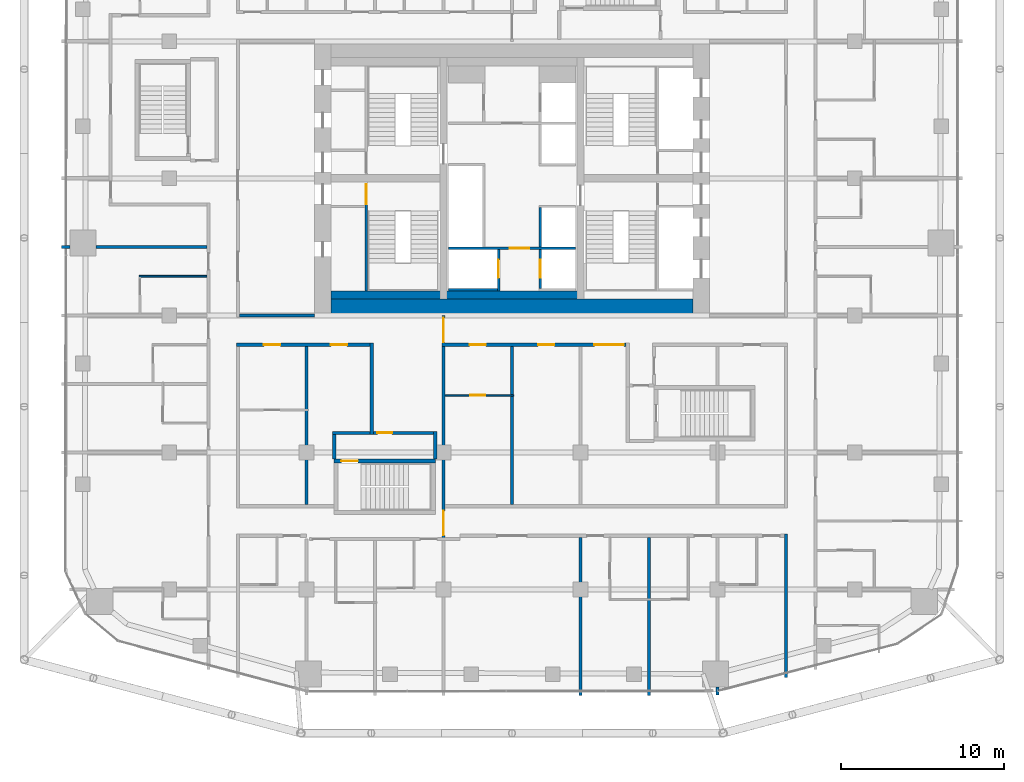
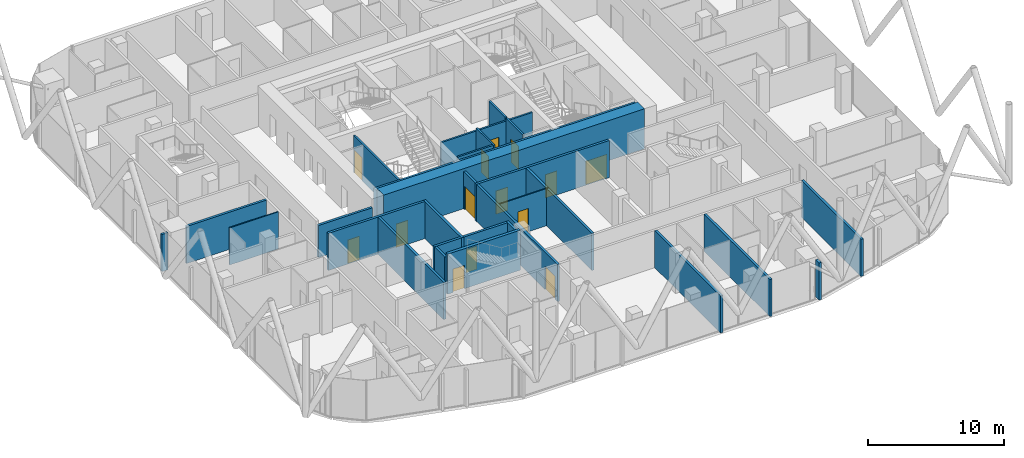
# One storey, part 25 of 33: 28 walls, 14 doors, 14 openings.
"""IFC4 building model written with IfcOpenShell, lengths in metres."""

from ifc_helpers import new_model, si_unit, direction, frame, frame_2d, origin, place, context, subcontext, project, spatial, rectangle, extrude, material, layer, layer_set, type_object, element, fill, save


model = new_model("IFC4")

# Units and contexts
model_context = context("Model", 3, precision=1e-05, world=origin(), true_north=direction((0.0, 1.0)))
body_context = subcontext(model_context, "Body", "Model", "MODEL_VIEW")
ifc_project = project(units=[si_unit("LENGTHUNIT", "METRE"), si_unit("AREAUNIT", "SQUARE_METRE"), si_unit("VOLUMEUNIT", "CUBIC_METRE"), si_unit("PLANEANGLEUNIT", "RADIAN"), si_unit("MASSUNIT", "GRAM", prefix="KILO")], contexts=[model_context])

# Site, building, storey
site_placement = place(None, origin())
site = spatial("IfcSite", under=ifc_project, at=site_placement, CompositionType="ELEMENT")
building_placement = place(site_placement, origin())
building = spatial("IfcBuilding", under=site, at=building_placement, Name="Marenta Gate Hotel Tower", CompositionType="ELEMENT")
storey_placement = place(building_placement, frame((0.0, 0.0, 122.89990234375)))
storey = spatial("IfcBuildingStorey", under=building, at=storey_placement, Name="L27", CompositionType="ELEMENT", Elevation=122.89990234375)

# Wall, openings, doors
ifc_material_1 = material(Name="Concrete blockwork", Category="masonry")
ifc_layer_1 = layer(ifc_material_1, 0.199951171875)
ifc_layer_set_1 = layer_set([ifc_layer_1], Name="Concrete blockwork")
wall_type_1 = type_object("IfcWallType", Name="Compartment wall 200 REI 180", PredefinedType="PARTITIONING", material=ifc_layer_set_1)
wall_1_placement = place(storey_placement, frame((-4.199951171875, -13.800048828125, 0.0), z_axis=(0.0, 0.0, 1.0), x_axis=(0.0, 1.0, 0.0)))
wall_1 = element("IfcWall", 1, at=wall_1_placement, inside=storey, type_object=wall_type_1, Name="L27-PTN-W072", PredefinedType="PARTITIONING", context=body_context, shape_type="SweptSolid", body=[
    extrude(rectangle(XDim=13.800048828125, YDim=0.199951171875, at=frame_2d((6.89990234375, 0.0))), origin(), (0.0, 0.0, 1.0), 3.340087890625),
])
opening_1_placement = place(wall_1_placement, frame((12.14990234375, 0.0, 0.0)))
opening_1 = element("IfcOpeningElement", 2, at=opening_1_placement, cuts=wall_1, Name="Opening G09-FD2", PredefinedType="OPENING", context=body_context, shape_type="SweptSolid", body=[
    extrude(rectangle(XDim=1.5, YDim=2.10009765625, at=frame_2d((0.75, 1.050048828125))), frame((0.0, 0.10009765625, 0.0), z_axis=(0.0, -1.0, 0.0), x_axis=(1.0, 0.0, 0.0)), (0.0, 0.0, 1.0), 0.199951171875),
])
opening_2_placement = place(wall_1_placement, frame((0.324951171875, 0.0, 0.0)))
opening_2 = element("IfcOpeningElement", 3, at=opening_2_placement, cuts=wall_1, Name="Opening G09-FD3", PredefinedType="OPENING", context=body_context, shape_type="SweptSolid", body=[
    extrude(rectangle(XDim=1.5, YDim=2.10009765625, at=frame_2d((0.75, 1.050048828125))), frame((0.0, 0.10009765625, 0.0), z_axis=(0.0, -1.0, 0.0), x_axis=(1.0, 0.0, 0.0)), (0.0, 0.0, 1.0), 0.199951171875),
])
ifc_material_2 = material(Name="Hollow steel door set", Category="steel")
door_type_1 = type_object("IfcDoorType", Name="Compartment fire door 1500x2100 EI 60", OperationType="DOUBLE_DOOR_DOUBLE_SWING", PredefinedType="DOOR", material=ifc_material_2)
door_1_placement = place(opening_1_placement, origin())
door_1 = element("IfcDoor", 4, at=door_1_placement, inside=storey, type_object=door_type_1, Name="L27-PD-FD02", OperationType="DOUBLE_DOOR_DOUBLE_SWING", OverallHeight=2.10009765625, OverallWidth=1.5, PredefinedType="DOOR", context=body_context, shape_type="SweptSolid", body=[
    extrude(rectangle(XDim=1.5, YDim=2.10009765625, at=frame_2d((0.75, 1.050048828125))), frame((0.0, 0.02490234375, 0.0), z_axis=(0.0, -1.0, 0.0), x_axis=(1.0, 0.0, 0.0)), (0.0, 0.0, 1.0), 0.050048828125),
])
fill(opening_1, door_1)
door_2_placement = place(opening_2_placement, origin())
door_2 = element("IfcDoor", 5, at=door_2_placement, inside=storey, type_object=door_type_1, Name="L27-PD-FD03", OperationType="DOUBLE_DOOR_DOUBLE_SWING", OverallHeight=2.10009765625, OverallWidth=1.5, PredefinedType="DOOR", context=body_context, shape_type="SweptSolid", body=[
    extrude(rectangle(XDim=1.5, YDim=2.10009765625, at=frame_2d((0.75, 1.050048828125))), frame((0.0, 0.02490234375, 0.0), z_axis=(0.0, -1.0, 0.0), x_axis=(1.0, 0.0, 0.0)), (0.0, 0.0, 1.0), 0.050048828125),
])
fill(opening_2, door_2)

# Walls
ifc_material_3 = material(Name="Concrete blockwork", Category="masonry")
ifc_layer_2 = layer(ifc_material_3, 0.199951171875)
ifc_layer_set_2 = layer_set([ifc_layer_2], Name="Concrete blockwork")
wall_type_2 = type_object("IfcWallType", Name="Core boundary wall 200 REI 180", PredefinedType="PARTITIONING", material=ifc_layer_set_2)
wall_2_placement = place(storey_placement, frame((-16.699951171875, 0.0, 0.0), z_axis=(0.0, 0.0, 1.0), x_axis=(1.0, 0.0, 0.0)))
element("IfcWall", 6, at=wall_2_placement, inside=storey, type_object=wall_type_2, Name="L27-CP-EW-WS", PredefinedType="PARTITIONING", context=body_context, shape_type="SweptSolid", body=[
    extrude(rectangle(XDim=4.599853515625, YDim=0.199951171875, at=frame_2d((2.2998046875, 0.0))), origin(), (0.0, 0.0, 1.0), 2.89013671875),
])
ifc_material_4 = material(Name="Concrete C40", Category="concrete")
ifc_layer_3 = layer(ifc_material_4, 0.5)
ifc_layer_set_3 = layer_set([ifc_layer_3], Name="Concrete C40")
wall_type_3 = type_object("IfcWallType", Name="Core lining wall 500 REI 180", PredefinedType="PARTITIONING", material=ifc_layer_set_3)
wall_3_placement = place(storey_placement, frame((-11.10009765625, 1.25, 0.0), z_axis=(0.0, 0.0, 1.0), x_axis=(1.0, 0.0, 0.0)))
element("IfcWall", 7, at=wall_3_placement, inside=storey, type_object=wall_type_3, Name="L27-CP-LN-S", PredefinedType="PARTITIONING", context=body_context, shape_type="SweptSolid", body=[
    extrude(rectangle(XDim=22.2001953125, YDim=0.5, at=frame_2d((11.10009765625, 0.0))), origin(), (0.0, 0.0, 1.0), 3.340087890625),
])

# Wall, opening, door
ifc_material_5 = material(Name="Concrete blockwork", Category="masonry")
ifc_layer_4 = layer(ifc_material_5, 0.14990234375)
ifc_layer_set_4 = layer_set([ifc_layer_4], Name="Concrete blockwork")
wall_type_4 = type_object("IfcWallType", Name="Core lobby partition 150 REI 180", PredefinedType="PARTITIONING", material=ifc_layer_set_4)
wall_4_placement = place(storey_placement, frame((-3.89990234375, 4.125, 0.0), z_axis=(0.0, 0.0, 1.0), x_axis=(1.0, 0.0, 0.0)))
wall_4 = element("IfcWall", 8, at=wall_4_placement, inside=storey, type_object=wall_type_4, Name="L27-CP-CW-S", PredefinedType="PARTITIONING", context=body_context, shape_type="SweptSolid", body=[
    extrude(rectangle(XDim=7.7998046875, YDim=0.14990234375, at=frame_2d((3.89990234375, 0.0))), origin(), (0.0, 0.0, 1.0), 3.340087890625),
])
opening_3_placement = place(wall_4_placement, frame((3.75, 0.0, 0.0)))
opening_3 = element("IfcOpeningElement", 9, at=opening_3_placement, cuts=wall_4, Name="Opening FD-FFS", PredefinedType="OPENING", context=body_context, shape_type="SweptSolid", body=[
    extrude(rectangle(XDim=1.199951171875, YDim=2.10009765625, at=frame_2d((0.60009765625, 1.050048828125))), frame((0.0, 0.074951171875, 0.0), z_axis=(0.0, -1.0, 0.0), x_axis=(1.0, 0.0, 0.0)), (0.0, 0.0, 1.0), 0.14990234375),
])
ifc_material_6 = material(Name="Steel", Category="steel")
door_type_2 = type_object("IfcDoorType", Name="Core lobby door 1200x2100 FD60", OperationType="SINGLE_SWING_LEFT", PredefinedType="DOOR", material=ifc_material_6)
door_3_placement = place(opening_3_placement, origin())
door_3 = element("IfcDoor", 10, at=door_3_placement, inside=storey, type_object=door_type_2, Name="FD-FFS", OperationType="SINGLE_SWING_LEFT", OverallHeight=2.10009765625, OverallWidth=1.199951171875, PredefinedType="DOOR", context=body_context, shape_type="SweptSolid", body=[
    extrude(rectangle(XDim=1.199951171875, YDim=2.10009765625, at=frame_2d((0.60009765625, 1.050048828125))), frame((0.0, 0.02490234375, 0.0), z_axis=(0.0, -1.0, 0.0), x_axis=(1.0, 0.0, 0.0)), (0.0, 0.0, 1.0), 0.050048828125),
])
fill(opening_3, door_3)

ifc_material_7 = material(Name="Concrete C40", Category="concrete")
ifc_layer_5 = layer(ifc_material_7, 0.14990234375)
ifc_layer_set_5 = layer_set([ifc_layer_5], Name="Concrete C40")
wall_type_5 = type_object("IfcWallType", Name="Core shaft wall 150 REI 180", PredefinedType="SHEAR", material=ifc_layer_set_5)
wall_5_placement = place(storey_placement, frame((-0.824951171875, 1.5, 0.0), z_axis=(0.0, 0.0, 1.0), x_axis=(0.0, 1.0, 0.0)))
wall_5 = element("IfcWall", 11, at=wall_5_placement, inside=storey, type_object=wall_type_5, Name="L27-SHF-CW-W-ff", PredefinedType="SHEAR", context=body_context, shape_type="SweptSolid", body=[
    extrude(rectangle(XDim=2.550048828125, YDim=0.14990234375, at=frame_2d((1.27490234375, 0.0))), origin(), (0.0, 0.0, 1.0), 3.60009765625),
])
opening_4_placement = place(wall_5_placement, frame((0.800048828125, 0.0, 0.0)))
opening_4 = element("IfcOpeningElement", 12, at=opening_4_placement, cuts=wall_5, Name="Opening LD-FF1", PredefinedType="OPENING", context=body_context, shape_type="SweptSolid", body=[
    extrude(rectangle(XDim=1.10009765625, YDim=2.10009765625, at=frame_2d((0.550048828125, 1.050048828125))), frame((0.0, 0.074951171875, 0.0), z_axis=(0.0, -1.0, 0.0), x_axis=(1.0, 0.0, 0.0)), (0.0, 0.0, 1.0), 0.14990234375),
])
ifc_material_8 = material(Name="Steel", Category="steel")
door_type_3 = type_object("IfcDoorType", Name="Core lift landing door 1100x2100 E 60", OperationType="SLIDING_TO_LEFT", PredefinedType="DOOR", material=ifc_material_8)
door_4_placement = place(opening_4_placement, origin())
door_4 = element("IfcDoor", 13, at=door_4_placement, inside=storey, type_object=door_type_3, Name="LD-FF1", OperationType="SLIDING_TO_LEFT", OverallHeight=2.10009765625, OverallWidth=1.10009765625, PredefinedType="DOOR", context=body_context, shape_type="SweptSolid", body=[
    extrude(rectangle(XDim=1.10009765625, YDim=2.10009765625, at=frame_2d((0.550048828125, 1.050048828125))), frame((0.0, 0.02490234375, 0.0), z_axis=(0.0, -1.0, 0.0), x_axis=(1.0, 0.0, 0.0)), (0.0, 0.0, 1.0), 0.050048828125),
])
fill(opening_4, door_4)

# Wall
wall_6_placement = place(storey_placement, frame((-3.89990234375, 1.574951171875, 0.0), z_axis=(0.0, 0.0, 1.0), x_axis=(1.0, 0.0, 0.0)))
element("IfcWall", 14, at=wall_6_placement, inside=storey, type_object=wall_type_5, Name="L27-SHF-CW-W-ffs", PredefinedType="SHEAR", context=body_context, shape_type="SweptSolid", body=[
    extrude(rectangle(XDim=3.0, YDim=0.14990234375, at=frame_2d((1.5, 0.0))), origin(), (0.0, 0.0, 1.0), 3.60009765625),
])

# Wall, opening, door
wall_7_placement = place(storey_placement, frame((1.72509765625, 1.64990234375, 0.0), z_axis=(0.0, 0.0, 1.0), x_axis=(0.0, 1.0, 0.0)))
wall_7 = element("IfcWall", 15, at=wall_7_placement, inside=storey, type_object=wall_type_5, Name="L27-SHF-CE-S-ls", PredefinedType="SHEAR", context=body_context, shape_type="SweptSolid", body=[
    extrude(rectangle(XDim=2.400146484375, YDim=0.14990234375, at=frame_2d((1.2001953125, 0.0))), origin(), (0.0, 0.0, 1.0), 3.60009765625),
])
opening_5_placement = place(wall_7_placement, frame((0.64990234375, 0.0, 0.0)))
opening_5 = element("IfcOpeningElement", 16, at=opening_5_placement, cuts=wall_7, Name="Opening LD-SV1", PredefinedType="OPENING", context=body_context, shape_type="SweptSolid", body=[
    extrude(rectangle(XDim=1.10009765625, YDim=2.10009765625, at=frame_2d((0.550048828125, 1.050048828125))), frame((0.0, 0.074951171875, 0.0), z_axis=(0.0, -1.0, 0.0), x_axis=(1.0, 0.0, 0.0)), (0.0, 0.0, 1.0), 0.14990234375),
])
door_5_placement = place(opening_5_placement, origin())
door_5 = element("IfcDoor", 17, at=door_5_placement, inside=storey, type_object=door_type_3, Name="LD-SV1", OperationType="SLIDING_TO_LEFT", OverallHeight=2.10009765625, OverallWidth=1.10009765625, PredefinedType="DOOR", context=body_context, shape_type="SweptSolid", body=[
    extrude(rectangle(XDim=1.10009765625, YDim=2.10009765625, at=frame_2d((0.550048828125, 1.050048828125))), frame((0.0, 0.02490234375, 0.0), z_axis=(0.0, -1.0, 0.0), x_axis=(1.0, 0.0, 0.0)), (0.0, 0.0, 1.0), 0.050048828125),
])
fill(opening_5, door_5)

# Wall
wall_8_placement = place(storey_placement, frame((1.72509765625, 4.199951171875, 0.0), z_axis=(0.0, 0.0, 1.0), x_axis=(0.0, 1.0, 0.0)))
element("IfcWall", 18, at=wall_8_placement, inside=storey, type_object=wall_type_5, Name="L27-SHF-CE-front-1", PredefinedType="SHEAR", context=body_context, shape_type="SweptSolid", body=[
    extrude(rectangle(XDim=2.400146484375, YDim=0.14990234375, at=frame_2d((1.2001953125, 0.0))), origin(), (0.0, 0.0, 1.0), 3.60009765625),
])

# Wall, opening, door
ifc_material_9 = material(Name="Concrete C40", Category="concrete")
ifc_layer_6 = layer(ifc_material_9, 0.14990234375)
ifc_layer_set_6 = layer_set([ifc_layer_6], Name="Concrete C40")
wall_type_6 = type_object("IfcWallType", Name="Core stair enclosure wall 150 REI 180", PredefinedType="SHEAR", material=ifc_layer_set_6)
wall_9_placement = place(storey_placement, frame((-8.925048828125, 1.5, 0.0), z_axis=(0.0, 0.0, 1.0), x_axis=(0.0, 1.0, 0.0)))
wall_9 = element("IfcWall", 19, at=wall_9_placement, inside=storey, type_object=wall_type_6, Name="L27-SHF-SW-WS-3", PredefinedType="SHEAR", context=body_context, shape_type="SweptSolid", body=[
    extrude(rectangle(XDim=6.60009765625, YDim=0.14990234375, at=frame_2d((3.300048828125, 0.0))), origin(), (0.0, 0.0, 1.0), 3.340087890625),
])
opening_6_placement = place(wall_9_placement, frame((5.324951171875, 0.0, 0.0)))
opening_6 = element("IfcOpeningElement", 20, at=opening_6_placement, cuts=wall_9, Name="Opening SD-WS", PredefinedType="OPENING", context=body_context, shape_type="SweptSolid", body=[
    extrude(rectangle(XDim=1.199951171875, YDim=2.10009765625, at=frame_2d((0.60009765625, 1.050048828125))), frame((0.0, 0.074951171875, 0.0), z_axis=(0.0, -1.0, 0.0), x_axis=(1.0, 0.0, 0.0)), (0.0, 0.0, 1.0), 0.14990234375),
])
ifc_material_10 = material(Name="Steel", Category="steel")
door_type_4 = type_object("IfcDoorType", Name="Core stair door 1200x2100 FD60", OperationType="SINGLE_SWING_LEFT", PredefinedType="DOOR", material=ifc_material_10)
door_6_placement = place(opening_6_placement, origin())
door_6 = element("IfcDoor", 21, at=door_6_placement, inside=storey, type_object=door_type_4, Name="SD-WS", OperationType="SINGLE_SWING_LEFT", OverallHeight=2.10009765625, OverallWidth=1.199951171875, PredefinedType="DOOR", context=body_context, shape_type="SweptSolid", body=[
    extrude(rectangle(XDim=1.199951171875, YDim=2.10009765625, at=frame_2d((0.60009765625, 1.050048828125))), frame((0.0, 0.02490234375, 0.0), z_axis=(0.0, -1.0, 0.0), x_axis=(1.0, 0.0, 0.0)), (0.0, 0.0, 1.0), 0.050048828125),
])
fill(opening_6, door_6)

# Wall
ifc_material_11 = material(Name="Concrete C70", Category="concrete")
ifc_layer_7 = layer(ifc_material_11, 1.0)
ifc_layer_set_7 = layer_set([ifc_layer_7], Name="Concrete C70")
wall_type_7 = type_object("IfcWallType", Name="Core wall 1000 C70", PredefinedType="SHEAR", material=ifc_layer_set_7)
wall_10_placement = place(storey_placement, frame((-11.10009765625, 0.5, 0.0), z_axis=(0.0, 0.0, 1.0), x_axis=(1.0, 0.0, 0.0)))
element("IfcWall", 22, at=wall_10_placement, inside=storey, type_object=wall_type_7, Name="L27-CORE-S", PredefinedType="SHEAR", context=body_context, shape_type="SweptSolid", body=[
    extrude(rectangle(XDim=22.2001953125, YDim=1.0, at=frame_2d((11.10009765625, 0.0))), origin(), (0.0, 0.0, 1.0), 3.60009765625),
])

# Wall, opening, door
ifc_material_12 = material(Name="Concrete C40", Category="concrete")
ifc_layer_8 = layer(ifc_material_12, 0.25)
ifc_layer_set_8 = layer_set([ifc_layer_8], Name="Concrete C40")
wall_type_8 = type_object("IfcWallType", Name="Remote stair enclosure wall 250 REI 180", PredefinedType="SHEAR", material=ifc_layer_set_8)
wall_11_placement = place(storey_placement, frame((-10.89990234375, -8.925048828125, 0.10009765625), z_axis=(0.0, 0.0, 1.0), x_axis=(1.0, 0.0, 0.0)))
wall_11 = element("IfcWall", 23, at=wall_11_placement, inside=storey, type_object=wall_type_8, Name="L27-RS-Z2-1-W2", PredefinedType="SHEAR", context=body_context, shape_type="SweptSolid", body=[
    extrude(rectangle(XDim=6.199951171875, YDim=0.25, at=frame_2d((3.10009765625, 0.0))), origin(), (0.0, 0.0, 1.0), 3.60009765625),
])
opening_7_placement = place(wall_11_placement, frame((0.449951171875, 0.0, 0.0)))
opening_7 = element("IfcOpeningElement", 24, at=opening_7_placement, cuts=wall_11, Name="Opening VD", PredefinedType="OPENING", context=body_context, shape_type="SweptSolid", body=[
    extrude(rectangle(XDim=1.0, YDim=2.10009765625, at=frame_2d((0.5, 1.050048828125))), frame((0.0, 0.125, 0.0), z_axis=(0.0, -1.0, 0.0), x_axis=(1.0, 0.0, 0.0)), (0.0, 0.0, 1.0), 0.25),
])
ifc_material_13 = material(Name="Steel", Category="steel")
door_type_5 = type_object("IfcDoorType", Name="Stair vestibule door 1000x2100 FD60", OperationType="SINGLE_SWING_LEFT", PredefinedType="DOOR", material=ifc_material_13)
door_7_placement = place(opening_7_placement, origin())
door_7 = element("IfcDoor", 25, at=door_7_placement, inside=storey, type_object=door_type_5, Name="VD", OperationType="SINGLE_SWING_LEFT", OverallHeight=2.10009765625, OverallWidth=1.0, PredefinedType="DOOR", context=body_context, shape_type="SweptSolid", body=[
    extrude(rectangle(XDim=1.0, YDim=2.10009765625, at=frame_2d((0.5, 1.050048828125))), frame((0.0, 0.02490234375, 0.0), z_axis=(0.0, -1.0, 0.0), x_axis=(1.0, 0.0, 0.0)), (0.0, 0.0, 1.0), 0.050048828125),
])
fill(opening_7, door_7)

# Wall, openings, doors
ifc_material_14 = material(Name="Concrete blockwork", Category="masonry")
ifc_layer_9 = layer(ifc_material_14, 0.199951171875)
ifc_layer_set_9 = layer_set([ifc_layer_9], Name="Concrete blockwork")
wall_type_9 = type_object("IfcWallType", Name="Room corridor wall 200 EI 120", PredefinedType="PARTITIONING", material=ifc_layer_set_9)
wall_12_placement = place(storey_placement, frame((-4.300048828125, -1.800048828125, 0.0), z_axis=(0.0, 0.0, 1.0), x_axis=(1.0, 0.0, 0.0)))
wall_12 = element("IfcWall", 26, at=wall_12_placement, inside=storey, type_object=wall_type_9, Name="L27-PTN-W060", PredefinedType="PARTITIONING", context=body_context, shape_type="SweptSolid", body=[
    extrude(rectangle(XDim=11.300048828125, YDim=0.199951171875, at=frame_2d((5.64990234375, 0.0))), origin(), (0.0, 0.0, 1.0), 3.340087890625),
])
opening_8_placement = place(wall_12_placement, frame((1.699951171875, 0.0, 0.0)))
opening_8 = element("IfcOpeningElement", 27, at=opening_8_placement, cuts=wall_12, Name="Opening G09-04", PredefinedType="OPENING", context=body_context, shape_type="SweptSolid", body=[
    extrude(rectangle(XDim=1.0, YDim=2.10009765625, at=frame_2d((0.5, 1.050048828125))), frame((0.0, 0.10009765625, 0.0), z_axis=(0.0, -1.0, 0.0), x_axis=(1.0, 0.0, 0.0)), (0.0, 0.0, 1.0), 0.199951171875),
])
opening_9_placement = place(wall_12_placement, frame((5.89990234375, 0.0, 0.0)))
opening_9 = element("IfcOpeningElement", 28, at=opening_9_placement, cuts=wall_12, Name="Opening G09-06", PredefinedType="OPENING", context=body_context, shape_type="SweptSolid", body=[
    extrude(rectangle(XDim=1.0, YDim=2.10009765625, at=frame_2d((0.5, 1.050048828125))), frame((0.0, 0.10009765625, 0.0), z_axis=(0.0, -1.0, 0.0), x_axis=(1.0, 0.0, 0.0)), (0.0, 0.0, 1.0), 0.199951171875),
])
opening_10_placement = place(wall_12_placement, frame((9.35009765625, 0.0, 0.0)))
opening_10 = element("IfcOpeningElement", 29, at=opening_10_placement, cuts=wall_12, Name="Opening G09-07", PredefinedType="OPENING", context=body_context, shape_type="SweptSolid", body=[
    extrude(rectangle(XDim=1.800048828125, YDim=2.10009765625, at=frame_2d((0.89990234375, 1.050048828125))), frame((0.0, 0.10009765625, 0.0), z_axis=(0.0, -1.0, 0.0), x_axis=(1.0, 0.0, 0.0)), (0.0, 0.0, 1.0), 0.199951171875),
])
ifc_material_15 = material(Name="Timber door leaf", Category="wood")
door_type_6 = type_object("IfcDoorType", Name="Room amenity door 1000x2100 EI 60", OperationType="NOTDEFINED", PredefinedType="DOOR", material=ifc_material_15)
door_8_placement = place(opening_9_placement, origin())
door_8 = element("IfcDoor", 30, at=door_8_placement, inside=storey, type_object=door_type_6, Name="L27-PD-D006", OperationType="SINGLE_SWING_RIGHT", OverallHeight=2.10009765625, OverallWidth=1.0, PredefinedType="DOOR", context=body_context, shape_type="SweptSolid", body=[
    extrude(rectangle(XDim=1.0, YDim=2.10009765625, at=frame_2d((0.5, 1.050048828125))), frame((0.0, 0.02490234375, 0.0), z_axis=(0.0, -1.0, 0.0), x_axis=(1.0, 0.0, 0.0)), (0.0, 0.0, 1.0), 0.050048828125),
])
fill(opening_9, door_8)
ifc_material_16 = material(Name="Timber door leaf", Category="wood")
door_type_7 = type_object("IfcDoorType", Name="Room amenity door 1800x2100 EI 60", OperationType="DOUBLE_DOOR_SINGLE_SWING", PredefinedType="DOOR", material=ifc_material_16)
door_9_placement = place(opening_10_placement, origin())
door_9 = element("IfcDoor", 31, at=door_9_placement, inside=storey, type_object=door_type_7, Name="L27-PD-D007", OperationType="DOUBLE_DOOR_SINGLE_SWING", OverallHeight=2.10009765625, OverallWidth=1.800048828125, PredefinedType="DOOR", context=body_context, shape_type="SweptSolid", body=[
    extrude(rectangle(XDim=1.800048828125, YDim=2.10009765625, at=frame_2d((0.89990234375, 1.050048828125))), frame((0.0, 0.02490234375, 0.0), z_axis=(0.0, -1.0, 0.0), x_axis=(1.0, 0.0, 0.0)), (0.0, 0.0, 1.0), 0.050048828125),
])
fill(opening_10, door_9)
ifc_material_17 = material(Name="Hollow steel door set", Category="steel")
door_type_8 = type_object("IfcDoorType", Name="Room service door 1000x2100 EI 60", OperationType="NOTDEFINED", PredefinedType="DOOR", material=ifc_material_17)
door_10_placement = place(opening_8_placement, origin())
door_10 = element("IfcDoor", 32, at=door_10_placement, inside=storey, type_object=door_type_8, Name="L27-PD-D004", OperationType="SINGLE_SWING_RIGHT", OverallHeight=2.10009765625, OverallWidth=1.0, PredefinedType="DOOR", context=body_context, shape_type="SweptSolid", body=[
    extrude(rectangle(XDim=1.0, YDim=2.10009765625, at=frame_2d((0.5, 1.050048828125))), frame((0.0, 0.02490234375, 0.0), z_axis=(0.0, -1.0, 0.0), x_axis=(1.0, 0.0, 0.0)), (0.0, 0.0, 1.0), 0.050048828125),
])
fill(opening_8, door_10)

# Wall
ifc_material_18 = material(Name="Gypsum board on steel stud", Category="steel")
ifc_layer_10 = layer(ifc_material_18, 0.199951171875)
ifc_layer_set_10 = layer_set([ifc_layer_10], Name="Gypsum board on steel stud")
wall_type_10 = type_object("IfcWallType", Name="Room corridor wall 200 EI 60", PredefinedType="PARTITIONING", material=ifc_layer_set_10)
wall_13_placement = place(storey_placement, frame((16.800048828125, -22.18603515625, 0.0), z_axis=(0.0, 0.0, 1.0), x_axis=(0.0, 1.0, 0.0)))
element("IfcWall", 33, at=wall_13_placement, inside=storey, type_object=wall_type_10, Name="L27-PTN-W014", PredefinedType="PARTITIONING", context=body_context, shape_type="SweptSolid", body=[
    extrude(rectangle(XDim=8.7861328125, YDim=0.199951171875, at=frame_2d((4.39306640625, 0.0))), origin(), (0.0, 0.0, 1.0), 3.340087890625),
])

# Wall, openings, doors
wall_14_placement = place(storey_placement, frame((-16.89990234375, -1.800048828125, 0.0), z_axis=(0.0, 0.0, 1.0), x_axis=(1.0, 0.0, 0.0)))
wall_14 = element("IfcWall", 34, at=wall_14_placement, inside=storey, type_object=wall_type_10, Name="L27-PTN-W059", PredefinedType="PARTITIONING", context=body_context, shape_type="SweptSolid", body=[
    extrude(rectangle(XDim=8.199951171875, YDim=0.199951171875, at=frame_2d((4.10009765625, 0.0))), origin(), (0.0, 0.0, 1.0), 3.340087890625),
])
opening_11_placement = place(wall_14_placement, frame((1.699951171875, 0.0, 0.0)))
opening_11 = element("IfcOpeningElement", 35, at=opening_11_placement, cuts=wall_14, Name="Opening G09-01", PredefinedType="OPENING", context=body_context, shape_type="SweptSolid", body=[
    extrude(rectangle(XDim=1.0, YDim=2.10009765625, at=frame_2d((0.5, 1.050048828125))), frame((0.0, 0.10009765625, 0.0), z_axis=(0.0, -1.0, 0.0), x_axis=(1.0, 0.0, 0.0)), (0.0, 0.0, 1.0), 0.199951171875),
])
opening_12_placement = place(wall_14_placement, frame((5.800048828125, 0.0, 0.0)))
opening_12 = element("IfcOpeningElement", 36, at=opening_12_placement, cuts=wall_14, Name="Opening G09-03", PredefinedType="OPENING", context=body_context, shape_type="SweptSolid", body=[
    extrude(rectangle(XDim=1.0, YDim=2.10009765625, at=frame_2d((0.5, 1.050048828125))), frame((0.0, 0.10009765625, 0.0), z_axis=(0.0, -1.0, 0.0), x_axis=(1.0, 0.0, 0.0)), (0.0, 0.0, 1.0), 0.199951171875),
])
ifc_material_19 = material(Name="Timber door leaf", Category="wood")
door_type_9 = type_object("IfcDoorType", Name="Room amenity door 1000x2100 EI 30", OperationType="NOTDEFINED", PredefinedType="DOOR", material=ifc_material_19)
door_11_placement = place(opening_12_placement, origin())
door_11 = element("IfcDoor", 37, at=door_11_placement, inside=storey, type_object=door_type_9, Name="L27-PD-D003", OperationType="SINGLE_SWING_LEFT", OverallHeight=2.10009765625, OverallWidth=1.0, PredefinedType="DOOR", context=body_context, shape_type="SweptSolid", body=[
    extrude(rectangle(XDim=1.0, YDim=2.10009765625, at=frame_2d((0.5, 1.050048828125))), frame((0.0, 0.02490234375, 0.0), z_axis=(0.0, -1.0, 0.0), x_axis=(1.0, 0.0, 0.0)), (0.0, 0.0, 1.0), 0.050048828125),
])
fill(opening_12, door_11)
ifc_material_20 = material(Name="Hollow steel door set", Category="steel")
door_type_10 = type_object("IfcDoorType", Name="Room service door 1000x2100 EI 30", OperationType="NOTDEFINED", PredefinedType="DOOR", material=ifc_material_20)
door_12_placement = place(opening_11_placement, origin())
door_12 = element("IfcDoor", 38, at=door_12_placement, inside=storey, type_object=door_type_10, Name="L27-PD-D001", OperationType="SINGLE_SWING_LEFT", OverallHeight=2.10009765625, OverallWidth=1.0, PredefinedType="DOOR", context=body_context, shape_type="SweptSolid", body=[
    extrude(rectangle(XDim=1.0, YDim=2.10009765625, at=frame_2d((0.5, 1.050048828125))), frame((0.0, 0.02490234375, 0.0), z_axis=(0.0, -1.0, 0.0), x_axis=(1.0, 0.0, 0.0)), (0.0, 0.0, 1.0), 0.050048828125),
])
fill(opening_11, door_12)

# Wall
wall_15_placement = place(storey_placement, frame((-8.60009765625, -7.300048828125, 0.0), z_axis=(0.0, 0.0, 1.0), x_axis=(0.0, 1.0, 0.0)))
element("IfcWall", 39, at=wall_15_placement, inside=storey, type_object=wall_type_10, Name="L27-PTN-W084", PredefinedType="PARTITIONING", context=body_context, shape_type="SweptSolid", body=[
    extrude(rectangle(XDim=5.60009765625, YDim=0.199951171875, at=frame_2d((2.800048828125, 0.0))), origin(), (0.0, 0.0, 1.0), 3.340087890625),
])

# Wall, opening, door
ifc_material_21 = material(Name="Concrete blockwork", Category="masonry")
ifc_layer_11 = layer(ifc_material_21, 0.199951171875)
ifc_layer_set_11 = layer_set([ifc_layer_11], Name="Concrete blockwork")
wall_type_11 = type_object("IfcWallType", Name="Room corridor wall 200 REI 180", PredefinedType="PARTITIONING", material=ifc_layer_set_11)
wall_16_placement = place(storey_placement, frame((-8.5, -7.199951171875, 0.0), z_axis=(0.0, 0.0, 1.0), x_axis=(1.0, 0.0, 0.0)))
wall_16 = element("IfcWall", 40, at=wall_16_placement, inside=storey, type_object=wall_type_11, Name="L27-PTN-W045", PredefinedType="PARTITIONING", context=body_context, shape_type="SweptSolid", body=[
    extrude(rectangle(XDim=3.699951171875, YDim=0.199951171875, at=frame_2d((1.85009765625, 0.0))), origin(), (0.0, 0.0, 1.0), 3.340087890625),
])
opening_13_placement = place(wall_16_placement, frame((0.25, 0.0, 0.0)))
opening_13 = element("IfcOpeningElement", 41, at=opening_13_placement, cuts=wall_16, Name="Opening G09-69", PredefinedType="OPENING", context=body_context, shape_type="SweptSolid", body=[
    extrude(rectangle(XDim=0.89990234375, YDim=2.10009765625, at=frame_2d((0.449951171875, 1.050048828125))), frame((0.0, 0.10009765625, 0.0), z_axis=(0.0, -1.0, 0.0), x_axis=(1.0, 0.0, 0.0)), (0.0, 0.0, 1.0), 0.199951171875),
])
ifc_material_22 = material(Name="Hollow steel door set", Category="steel")
door_type_11 = type_object("IfcDoorType", Name="Stair vestibule door 900x2100 EI 60", OperationType="NOTDEFINED", PredefinedType="DOOR", material=ifc_material_22)
door_13_placement = place(opening_13_placement, origin())
door_13 = element("IfcDoor", 42, at=door_13_placement, inside=storey, type_object=door_type_11, Name="L27-PD-D069", OperationType="SINGLE_SWING_RIGHT", OverallHeight=2.10009765625, OverallWidth=0.89990234375, PredefinedType="DOOR", context=body_context, shape_type="SweptSolid", body=[
    extrude(rectangle(XDim=0.89990234375, YDim=2.10009765625, at=frame_2d((0.449951171875, 1.050048828125))), frame((0.0, 0.02490234375, 0.0), z_axis=(0.0, -1.0, 0.0), x_axis=(1.0, 0.0, 0.0)), (0.0, 0.0, 1.0), 0.050048828125),
])
fill(opening_13, door_13)

# Wall
wall_17_placement = place(storey_placement, frame((-4.699951171875, -8.800048828125, 0.0), z_axis=(0.0, 0.0, 1.0), x_axis=(0.0, 1.0, 0.0)))
element("IfcWall", 43, at=wall_17_placement, inside=storey, type_object=wall_type_11, Name="L27-PTN-W075", PredefinedType="PARTITIONING", context=body_context, shape_type="SweptSolid", body=[
    extrude(rectangle(XDim=1.699951171875, YDim=0.199951171875, at=frame_2d((0.85009765625, 0.0))), origin(), (0.0, 0.0, 1.0), 3.340087890625),
])

# Wall, opening, door
ifc_material_23 = material(Name="Gypsum board on steel stud", Category="steel")
ifc_layer_12 = layer(ifc_material_23, 0.10009765625)
ifc_layer_set_12 = layer_set([ifc_layer_12], Name="Gypsum board on steel stud")
wall_type_12 = type_object("IfcWallType", Name="Room partition 100", PredefinedType="PARTITIONING", material=ifc_layer_set_12)
wall_18_placement = place(storey_placement, frame((-4.10009765625, -4.89990234375, 0.0), z_axis=(0.0, 0.0, 1.0), x_axis=(1.0, 0.0, 0.0)))
wall_18 = element("IfcWall", 44, at=wall_18_placement, inside=storey, type_object=wall_type_12, Name="L27-PTN-W051", PredefinedType="PARTITIONING", context=body_context, shape_type="SweptSolid", body=[
    extrude(rectangle(XDim=4.2001953125, YDim=0.10009765625, at=frame_2d((2.10009765625, 0.0))), origin(), (0.0, 0.0, 1.0), 3.340087890625),
])
opening_14_placement = place(wall_18_placement, frame((1.550048828125, 0.0, 0.0)))
opening_14 = element("IfcOpeningElement", 45, at=opening_14_placement, cuts=wall_18, Name="Opening G09-05", PredefinedType="OPENING", context=body_context, shape_type="SweptSolid", body=[
    extrude(rectangle(XDim=0.89990234375, YDim=2.10009765625, at=frame_2d((0.449951171875, 1.050048828125))), frame((0.0, 0.050048828125, 0.0), z_axis=(0.0, -1.0, 0.0), x_axis=(1.0, 0.0, 0.0)), (0.0, 0.0, 1.0), 0.10009765625),
])
ifc_material_24 = material(Name="Timber door leaf", Category="wood")
door_type_12 = type_object("IfcDoorType", Name="Room inner door 900x2100", OperationType="NOTDEFINED", PredefinedType="DOOR", material=ifc_material_24)
door_14_placement = place(opening_14_placement, origin())
door_14 = element("IfcDoor", 46, at=door_14_placement, inside=storey, type_object=door_type_12, Name="L27-PD-D005", OperationType="SINGLE_SWING_LEFT", OverallHeight=2.10009765625, OverallWidth=0.89990234375, PredefinedType="DOOR", context=body_context, shape_type="SweptSolid", body=[
    extrude(rectangle(XDim=0.89990234375, YDim=2.10009765625, at=frame_2d((0.449951171875, 1.050048828125))), frame((0.0, 0.02490234375, 0.0), z_axis=(0.0, -1.0, 0.0), x_axis=(1.0, 0.0, 0.0)), (0.0, 0.0, 1.0), 0.050048828125),
])
fill(opening_14, door_14)

# Walls
wall_19_placement = place(storey_placement, frame((-22.85009765625, 2.39990234375, 0.0), z_axis=(0.0, 0.0, 1.0), x_axis=(1.0, 0.0, 0.0)))
element("IfcWall", 47, at=wall_19_placement, inside=storey, type_object=wall_type_12, Name="L27-PTN-W068", PredefinedType="PARTITIONING", context=body_context, shape_type="SweptSolid", body=[
    extrude(rectangle(XDim=4.150146484375, YDim=0.10009765625, at=frame_2d((2.0751953125, 0.0))), origin(), (0.0, 0.0, 1.0), 3.340087890625),
])
ifc_material_25 = material(Name="Concrete blockwork", Category="masonry")
ifc_layer_13 = layer(ifc_material_25, 0.199951171875)
ifc_layer_set_13 = layer_set([ifc_layer_13], Name="Concrete blockwork")
wall_type_13 = type_object("IfcWallType", Name="Room party wall 200 EI 120", PredefinedType="PARTITIONING", material=ifc_layer_set_13)
wall_20_placement = place(storey_placement, frame((0.0, -11.60009765625, 0.0), z_axis=(0.0, 0.0, 1.0), x_axis=(0.0, 1.0, 0.0)))
element("IfcWall", 48, at=wall_20_placement, inside=storey, type_object=wall_type_13, Name="L27-PTN-W063", PredefinedType="PARTITIONING", context=body_context, shape_type="SweptSolid", body=[
    extrude(rectangle(XDim=9.7001953125, YDim=0.199951171875, at=frame_2d((4.85009765625, 0.0))), origin(), (0.0, 0.0, 1.0), 3.340087890625),
])
ifc_material_26 = material(Name="Gypsum board on steel stud", Category="steel")
ifc_layer_14 = layer(ifc_material_26, 0.199951171875)
ifc_layer_set_14 = layer_set([ifc_layer_14], Name="Gypsum board on steel stud")
wall_type_14 = type_object("IfcWallType", Name="Room party wall 200 EI 60", PredefinedType="PARTITIONING", material=ifc_layer_set_14)
wall_21_placement = place(storey_placement, frame((12.60009765625, -23.26611328125, 0.0), z_axis=(0.0, 0.0, 1.0), x_axis=(0.0, 1.0, 0.0)))
element("IfcWall", 49, at=wall_21_placement, inside=storey, type_object=wall_type_14, Name="L27-PTN-W028", PredefinedType="PARTITIONING", context=body_context, shape_type="SweptSolid", body=[
    extrude(rectangle(XDim=0.4912109375, YDim=0.199951171875, at=frame_2d((0.24560546875, 0.0))), origin(), (0.0, 0.0, 1.0), 3.340087890625),
])
for number, where, z_axis, x_axis, name in (
    (50, (8.39990234375, -23.300048828125, 0.0), (0.0, 0.0, 1.0), (0.0, 1.0, 0.0), "L27-PTN-W039"),
    (51, (4.199951171875, -23.300048828125, 0.0), (0.0, 0.0, 1.0), (0.0, 1.0, 0.0), "L27-PTN-W053"),
):
    element("IfcWall", number, at=place(storey_placement, frame(where, z_axis=z_axis, x_axis=x_axis)), inside=storey, type_object=wall_type_14, Name=name, PredefinedType="PARTITIONING", context=body_context, shape_type="SweptSolid", body=[
        extrude(rectangle(XDim=9.699951171875, YDim=0.199951171875, at=frame_2d((4.85009765625, 0.0))), origin(), (0.0, 0.0, 1.0), 3.340087890625),
    ])
wall_22_placement = place(storey_placement, frame((-27.60009765625, 4.199951171875, 0.0), z_axis=(0.0, 0.0, 1.0), x_axis=(1.0, 0.0, 0.0)))
element("IfcWall", 52, at=wall_22_placement, inside=storey, type_object=wall_type_14, Name="L27-PTN-W073", PredefinedType="PARTITIONING", context=body_context, shape_type="SweptSolid", body=[
    extrude(rectangle(XDim=0.5, YDim=0.199951171875, at=frame_2d((0.25, 0.0))), origin(), (0.0, 0.0, 1.0), 3.340087890625),
])
wall_23_placement = place(storey_placement, frame((-25.5, 4.199951171875, 0.0), z_axis=(0.0, 0.0, 1.0), x_axis=(1.0, 0.0, 0.0)))
element("IfcWall", 53, at=wall_23_placement, inside=storey, type_object=wall_type_14, Name="L27-PTN-W133", PredefinedType="PARTITIONING", context=body_context, shape_type="SweptSolid", body=[
    extrude(rectangle(XDim=6.800048828125, YDim=0.199951171875, at=frame_2d((3.39990234375, 0.0))), origin(), (0.0, 0.0, 1.0), 3.340087890625),
])
wall_24_placement = place(storey_placement, frame((-12.60009765625, -11.60009765625, 0.0), z_axis=(0.0, 0.0, 1.0), x_axis=(0.0, 1.0, 0.0)))
element("IfcWall", 54, at=wall_24_placement, inside=storey, type_object=wall_type_14, Name="L27-PTN-W091", PredefinedType="PARTITIONING", context=body_context, shape_type="SweptSolid", body=[
    extrude(rectangle(XDim=9.7001953125, YDim=0.199951171875, at=frame_2d((4.85009765625, 0.0))), origin(), (0.0, 0.0, 1.0), 3.340087890625),
])
ifc_material_27 = material(Name="Concrete blockwork", Category="masonry")
ifc_layer_15 = layer(ifc_material_27, 0.199951171875)
ifc_layer_set_15 = layer_set([ifc_layer_15], Name="Concrete blockwork")
wall_type_15 = type_object("IfcWallType", Name="Room party wall 200 REI 180", PredefinedType="PARTITIONING", material=ifc_layer_set_15)
wall_25_placement = place(storey_placement, frame((-11.0, -7.199951171875, 0.0), z_axis=(0.0, 0.0, 1.0), x_axis=(1.0, 0.0, 0.0)))
element("IfcWall", 55, at=wall_25_placement, inside=storey, type_object=wall_type_15, Name="L27-PTN-W044", PredefinedType="PARTITIONING", context=body_context, shape_type="SweptSolid", body=[
    extrude(rectangle(XDim=2.300048828125, YDim=0.199951171875, at=frame_2d((1.14990234375, 0.0))), origin(), (0.0, 0.0, 1.0), 3.340087890625),
])
wall_26_placement = place(storey_placement, frame((-10.89990234375, -8.800048828125, 0.0), z_axis=(0.0, 0.0, 1.0), x_axis=(0.0, 1.0, 0.0)))
element("IfcWall", 56, at=wall_26_placement, inside=storey, type_object=wall_type_15, Name="L27-PTN-W089", PredefinedType="PARTITIONING", context=body_context, shape_type="SweptSolid", body=[
    extrude(rectangle(XDim=1.5, YDim=0.199951171875, at=frame_2d((0.75, 0.0))), origin(), (0.0, 0.0, 1.0), 3.340087890625),
])

save(model, "model.ifc")
